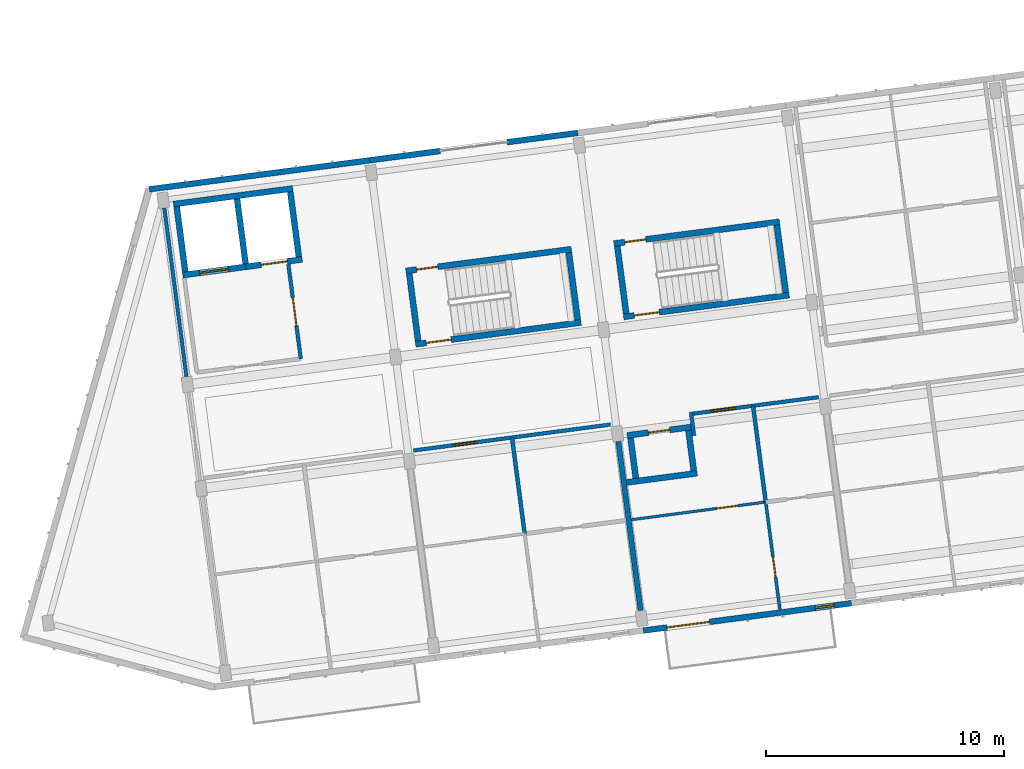
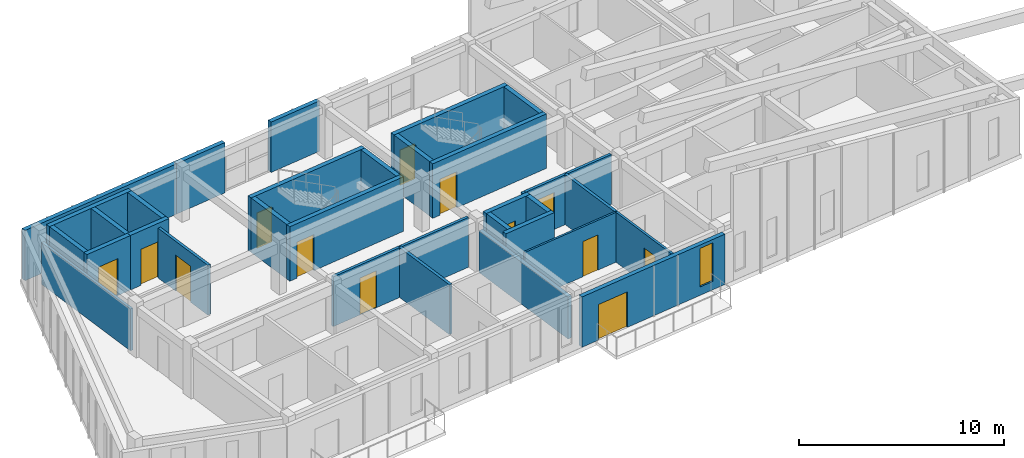
# One storey, part 7 of 16: 32 walls, 13 doors, 1 window, 14 openings.
"""IFC4 building model written with IfcOpenShell, lengths in metres."""

from ifc_helpers import new_model, si_unit, direction, frame, frame_2d, origin, place, context, subcontext, project, spatial, rectangle, extrude, material, layer, layer_set, type_object, element, fill, save


model = new_model("IFC4")

# Units and contexts
model_context = context("Model", 3, precision=1e-05, world=origin(), true_north=direction((0.0, 1.0)))
body_context = subcontext(model_context, "Body", "Model", "MODEL_VIEW")
ifc_project = project(units=[si_unit("LENGTHUNIT", "METRE"), si_unit("AREAUNIT", "SQUARE_METRE"), si_unit("VOLUMEUNIT", "CUBIC_METRE"), si_unit("PLANEANGLEUNIT", "RADIAN"), si_unit("MASSUNIT", "GRAM", prefix="KILO")], contexts=[model_context])

# Site, building, storey
site_placement = place(None, origin())
site = spatial("IfcSite", under=ifc_project, at=site_placement, CompositionType="ELEMENT")
building_placement = place(site_placement, origin())
building = spatial("IfcBuilding", under=site, at=building_placement, Name="Kestramere Prow Commons", CompositionType="ELEMENT")
storey_placement = place(building_placement, frame((0.0, 0.0, 40.89990234375)))
storey = spatial("IfcBuildingStorey", under=building, at=storey_placement, Name="L12", CompositionType="ELEMENT", Elevation=40.89990234375)

# Wall, openings, door, window
ifc_material_1 = material(Name="Fluoropolymer Standing-Seam Zinc-Aluminium Cladding", Category="aluminium")
ifc_layer_1 = layer(ifc_material_1, 0.239990234375)
ifc_layer_set_1 = layer_set([ifc_layer_1], Name="Fluoropolymer Standing-Seam Zinc-Aluminium Cladding")
wall_type_1 = type_object("IfcWallType", Name="EW-SEAM-240", PredefinedType="SOLIDWALL", material=ifc_layer_set_1)
wall_1_placement = place(storey_placement, frame((37.442626953125, 74.92529296875, 0.0), z_axis=(0.0, 0.0, 1.0), x_axis=(-0.991447495205, -0.130506184728, 0.0)))
wall_1 = element("IfcWall", 1, at=wall_1_placement, inside=storey, type_object=wall_type_1, Name="Block A L12 South Standing-Seam Wall 3", PredefinedType="SOLIDWALL", context=body_context, shape_type="SweptSolid", body=[
    extrude(rectangle(XDim=8.7998046875, YDim=0.239990234375, at=frame_2d((4.39990234375, 0.0))), origin(), (0.0, 0.0, 1.0), 3.0),
])
opening_1_placement = place(wall_1_placement, frame((5.9970703125, 0.0, 0.0)))
opening_1 = element("IfcOpeningElement", 2, at=opening_1_placement, cuts=wall_1, Name="Opening GD-BAL-02", PredefinedType="OPENING", context=body_context, shape_type="SweptSolid", body=[
    extrude(rectangle(XDim=1.800048828125, YDim=2.1201171875, at=frame_2d((0.89990234375, 1.06005859375))), frame((0.0, 0.135009765625, 0.0), z_axis=(0.0, -1.0, 0.0), x_axis=(1.0, 0.0, 0.0)), (0.0, 0.0, 1.0), 0.27001953125),
])
opening_2_placement = place(wall_1_placement, frame((0.72998046875, 0.0, 0.5)))
opening_2 = element("IfcOpeningElement", 3, at=opening_2_placement, cuts=wall_1, Name="Opening WN-12", PredefinedType="OPENING", context=body_context, shape_type="SweptSolid", body=[
    extrude(rectangle(XDim=0.800048828125, YDim=2.300048828125, at=frame_2d((0.39990234375, 1.14990234375))), frame((0.0, 0.135009765625, 0.0), z_axis=(0.0, -1.0, 0.0), x_axis=(1.0, 0.0, 0.0)), (0.0, 0.0, 1.0), 0.27001953125),
])
ifc_material_2 = material(Name="Thermally-Broken Anodised Aluminium Glazed", Category="aluminium")
door_type_1 = type_object("IfcDoorType", Name="GD-BAL-1800", OperationType="SLIDING_TO_LEFT", PredefinedType="DOOR", material=ifc_material_2)
door_1_placement = place(opening_1_placement, origin())
door_1 = element("IfcDoor", 4, at=door_1_placement, inside=storey, type_object=door_type_1, Name="Block A L12 Balcony Door 3", OperationType="SLIDING_TO_LEFT", OverallHeight=2.1201171875, OverallWidth=1.800048828125, PredefinedType="DOOR", context=body_context, shape_type="SweptSolid", body=[
    extrude(rectangle(XDim=1.800048828125, YDim=2.1201171875, at=frame_2d((0.89990234375, 1.06005859375))), frame((0.0, 0.02490234375, 0.0), z_axis=(0.0, -1.0, 0.0), x_axis=(1.0, 0.0, 0.0)), (0.0, 0.0, 1.0), 0.050048828125),
])
fill(opening_1, door_1)
ifc_material_3 = material(Name="Low-E Laminated Double Glazing", Category="glass")
window_type = type_object("IfcWindowType", Name="WN-NAR-800A", PartitioningType="SINGLE_PANEL", PredefinedType="WINDOW", material=ifc_material_3)
window_placement = place(opening_2_placement, origin())
window = element("IfcWindow", 5, at=window_placement, inside=storey, type_object=window_type, Name="WN-A-L12-SR-2", OverallHeight=2.300048828125, OverallWidth=0.800048828125, PartitioningType="SINGLE_PANEL", PredefinedType="WINDOW", context=body_context, shape_type="SweptSolid", body=[
    extrude(rectangle(XDim=0.800048828125, YDim=2.300048828125, at=frame_2d((0.39990234375, 1.14990234375))), frame((0.0, 0.030029296875, 0.0), z_axis=(0.0, -1.0, 0.0), x_axis=(1.0, 0.0, 0.0)), (0.0, 0.0, 1.0), 0.06005859375),
])
fill(opening_2, window)

# Walls
wall_2_placement = place(storey_placement, frame((8.00048828125, 92.28076171875, 0.0), z_axis=(0.0, 0.0, 1.0), x_axis=(0.991442885224, 0.130541201693, 0.0)))
element("IfcWall", 6, at=wall_2_placement, inside=storey, type_object=wall_type_1, Name="Block A L12 North Standing-Seam Wall 1", PredefinedType="SOLIDWALL", context=body_context, shape_type="SweptSolid", body=[
    extrude(rectangle(XDim=9.324951171875, YDim=0.239990234375, at=frame_2d((4.66259765625, 0.0))), origin(), (0.0, 0.0, 1.0), 3.0),
])
for number, where, z_axis, x_axis, name in (
    (7, (17.24560546875, 93.498046875, 0.0), (0.0, 0.0, 1.0), (0.991451502252, 0.130475739826, 0.0), "Block A L12 North Standing-Seam Pier 2L"),
    (8, (23.020751953125, 94.25830078125, 0.0), (0.0, 0.0, 1.0), (0.991440883744, 0.130556401758, 0.0), "Block A L12 North Standing-Seam Pier 2R"),
):
    element("IfcWall", number, at=place(storey_placement, frame(where, z_axis=z_axis, x_axis=x_axis)), inside=storey, type_object=wall_type_1, Name=name, PredefinedType="SOLIDWALL", context=body_context, shape_type="SweptSolid", body=[
        extrude(rectangle(XDim=2.97509765625, YDim=0.239990234375, at=frame_2d((1.487548828125, 0.0))), origin(), (0.0, 0.0, 1.0), 3.0),
    ])
ifc_material_4 = material(Name="Concrete C40/50", Category="concrete")
ifc_layer_2 = layer(ifc_material_4, 0.25)
ifc_layer_set_2 = layer_set([ifc_layer_2], Name="Concrete C40/50")
wall_type_2 = type_object("IfcWallType", Name="W-CORE-250", PredefinedType="SHEAR", material=ifc_layer_set_2)
wall_3_placement = place(storey_placement, frame((9.015380859375, 91.657958984375, 0.0), z_axis=(0.0, 0.0, 1.0), x_axis=(0.991444419808, 0.130529546201, 0.0)))
element("IfcWall", 9, at=wall_3_placement, inside=storey, type_object=wall_type_2, Name="Block A L12 Lift Core Back Wall", PredefinedType="SHEAR", context=body_context, shape_type="SweptSolid", body=[
    extrude(rectangle(XDim=5.050048828125, YDim=0.25, at=frame_2d((2.52490234375, 0.0))), origin(), (0.0, 0.0, 1.0), 3.25),
])

# Wall, opening, door
wall_4_placement = place(storey_placement, frame((9.406982421875, 88.68359375, 0.0), z_axis=(0.0, 0.0, 1.0), x_axis=(0.991434713833, 0.130603247307, 0.0)))
wall_4 = element("IfcWall", 10, at=wall_4_placement, inside=storey, type_object=wall_type_2, Name="Block A L12 Fire Lift Shaft Front Wall", PredefinedType="SHEAR", context=body_context, shape_type="SweptSolid", body=[
    extrude(rectangle(XDim=2.675048828125, YDim=0.25, at=frame_2d((1.33740234375, 0.0))), origin(), (0.0, 0.0, 1.0), 3.25),
])
opening_3_placement = place(wall_4_placement, frame((0.719970703125, 0.0, 0.0)))
opening_3 = element("IfcOpeningElement", 11, at=opening_3_placement, cuts=wall_4, Name="Opening LD-02", PredefinedType="OPENING", context=body_context, shape_type="SweptSolid", body=[
    extrude(rectangle(XDim=1.199951171875, YDim=2.199951171875, at=frame_2d((0.60009765625, 1.10009765625))), frame((0.0, 0.139892578125, 0.0), z_axis=(0.0, -1.0, 0.0), x_axis=(1.0, 0.0, 0.0)), (0.0, 0.0, 1.0), 0.280029296875),
])
ifc_material_5 = material(Name="Brushed Stainless Steel 316", Category="steel")
door_type_2 = type_object("IfcDoorType", Name="LD-02", OperationType="DOUBLE_DOOR_SLIDING", PredefinedType="DOOR", material=ifc_material_5)
door_2_placement = place(opening_3_placement, origin())
door_2 = element("IfcDoor", 12, at=door_2_placement, inside=storey, type_object=door_type_2, Name="FL-A1 L12 Lift Landing Door", OperationType="DOUBLE_DOOR_SLIDING", OverallHeight=2.199951171875, OverallWidth=1.199951171875, PredefinedType="DOOR", context=body_context, shape_type="SweptSolid", body=[
    extrude(rectangle(XDim=1.199951171875, YDim=2.199951171875, at=frame_2d((0.60009765625, 1.10009765625))), frame((0.0, 0.02490234375, 0.0), z_axis=(0.0, -1.0, 0.0), x_axis=(1.0, 0.0, 0.0)), (0.0, 0.0, 1.0), 0.050048828125),
])
fill(opening_3, door_2)

wall_5_placement = place(storey_placement, frame((12.05908203125, 89.032958984375, 0.0), z_axis=(0.0, 0.0, 1.0), x_axis=(0.99145534515, 0.130446535303, 0.0)))
wall_5 = element("IfcWall", 13, at=wall_5_placement, inside=storey, type_object=wall_type_2, Name="Block A L12 Passenger Lift Shaft Front Wall", PredefinedType="SHEAR", context=body_context, shape_type="SweptSolid", body=[
    extrude(rectangle(XDim=2.375, YDim=0.25, at=frame_2d((1.1875, 0.0))), origin(), (0.0, 0.0, 1.0), 3.25),
])
opening_4_placement = place(wall_5_placement, frame((0.64990234375, 0.0, 0.0)))
opening_4 = element("IfcOpeningElement", 14, at=opening_4_placement, cuts=wall_5, Name="Opening LD-01", PredefinedType="OPENING", context=body_context, shape_type="SweptSolid", body=[
    extrude(rectangle(XDim=1.10009765625, YDim=2.14990234375, at=frame_2d((0.550048828125, 1.074951171875))), frame((0.0, 0.139892578125, 0.0), z_axis=(0.0, -1.0, 0.0), x_axis=(1.0, 0.0, 0.0)), (0.0, 0.0, 1.0), 0.280029296875),
])
ifc_material_6 = material(Name="Brushed Stainless Steel 304", Category="steel")
door_type_3 = type_object("IfcDoorType", Name="LD-01", OperationType="DOUBLE_DOOR_SLIDING", PredefinedType="DOOR", material=ifc_material_6)
door_3_placement = place(opening_4_placement, origin())
door_3 = element("IfcDoor", 15, at=door_3_placement, inside=storey, type_object=door_type_3, Name="PL-A2 L12 Lift Landing Door", OperationType="DOUBLE_DOOR_SLIDING", OverallHeight=2.14990234375, OverallWidth=1.10009765625, PredefinedType="DOOR", context=body_context, shape_type="SweptSolid", body=[
    extrude(rectangle(XDim=1.10009765625, YDim=2.14990234375, at=frame_2d((0.550048828125, 1.074951171875))), frame((0.0, 0.02490234375, 0.0), z_axis=(0.0, -1.0, 0.0), x_axis=(1.0, 0.0, 0.0)), (0.0, 0.0, 1.0), 0.050048828125),
])
fill(opening_4, door_3)

# Walls
for number, where, z_axis, x_axis, name in (
    (16, (9.5146484375, 88.823974609375, 0.0), (0.0, 0.0, 1.0), (-0.130500441374, 0.991448251197, 0.0), "Block A L12 Lift Core Side Wall L"),
    (17, (12.042724609375, 89.15673828125, 0.0), (0.0, 0.0, 1.0), (-0.130500441374, 0.991448251197, 0.0), "Block A L12 Lift Core Side Wall M"),
    (18, (14.2734375, 89.450439453125, 0.0), (0.0, 0.0, 1.0), (-0.130500441374, 0.991448251197, 0.0), "Block A L12 Lift Core Side Wall R"),
):
    element("IfcWall", number, at=place(storey_placement, frame(where, z_axis=z_axis, x_axis=x_axis)), inside=storey, type_object=wall_type_2, Name=name, PredefinedType="SHEAR", context=body_context, shape_type="SweptSolid", body=[
        extrude(rectangle(XDim=2.75, YDim=0.25, at=frame_2d((1.375, 0.0))), origin(), (0.0, 0.0, 1.0), 3.25),
    ])

# Wall, opening, door
wall_6_placement = place(storey_placement, frame((18.764404296875, 88.856689453125, 0.0), z_axis=(0.0, 0.0, 1.0), x_axis=(0.991447052715, 0.13050954625, 0.0)))
wall_6 = element("IfcWall", 19, at=wall_6_placement, inside=storey, type_object=wall_type_2, Name="ST-A1 L12 North Shaft Wall", PredefinedType="SHEAR", context=body_context, shape_type="SweptSolid", body=[
    extrude(rectangle(XDim=7.0, YDim=0.25, at=frame_2d((3.5, 0.0))), origin(), (0.0, 0.0, 1.0), 3.25),
])
opening_5_placement = place(wall_6_placement, frame((0.449951171875, 0.0, 0.0)))
opening_5 = element("IfcOpeningElement", 20, at=opening_5_placement, cuts=wall_6, Name="Opening ID-08", PredefinedType="OPENING", context=body_context, shape_type="SweptSolid", body=[
    extrude(rectangle(XDim=0.89990234375, YDim=2.10009765625, at=frame_2d((0.449951171875, 1.050048828125))), frame((0.0, 0.139892578125, 0.0), z_axis=(0.0, -1.0, 0.0), x_axis=(1.0, 0.0, 0.0)), (0.0, 0.0, 1.0), 0.280029296875),
])
ifc_material_7 = material(Name="Engineered Timber Flush Door", Category="wood")
door_type_4 = type_object("IfcDoorType", Name="D-RM-01", OperationType="NOTDEFINED", PredefinedType="DOOR", material=ifc_material_7)
door_4_placement = place(opening_5_placement, origin())
door_4 = element("IfcDoor", 21, at=door_4_placement, inside=storey, type_object=door_type_4, Name="ST-A1 L12 North Room Door", OperationType="SINGLE_SWING_RIGHT", OverallHeight=2.10009765625, OverallWidth=0.89990234375, PredefinedType="DOOR", context=body_context, shape_type="SweptSolid", body=[
    extrude(rectangle(XDim=0.89990234375, YDim=2.10009765625, at=frame_2d((0.449951171875, 1.050048828125))), frame((0.0, 0.02490234375, 0.0), z_axis=(0.0, -1.0, 0.0), x_axis=(1.0, 0.0, 0.0)), (0.0, 0.0, 1.0), 0.050048828125),
])
fill(opening_5, door_4)

wall_7_placement = place(storey_placement, frame((19.169189453125, 85.783203125, 0.0), z_axis=(0.0, 0.0, 1.0), x_axis=(0.991446458634, 0.130514059249, 0.0)))
wall_7 = element("IfcWall", 22, at=wall_7_placement, inside=storey, type_object=wall_type_2, Name="ST-A1 L12 Corridor Shaft Wall", PredefinedType="SHEAR", context=body_context, shape_type="SweptSolid", body=[
    extrude(rectangle(XDim=6.999755859375, YDim=0.25, at=frame_2d((3.5, 0.0))), origin(), (0.0, 0.0, 1.0), 3.25),
])
opening_6_placement = place(wall_7_placement, frame((0.449951171875, 0.0, 0.0)))
opening_6 = element("IfcOpeningElement", 23, at=opening_6_placement, cuts=wall_7, Name="Opening ID-01", PredefinedType="OPENING", context=body_context, shape_type="SweptSolid", body=[
    extrude(rectangle(XDim=1.050048828125, YDim=2.14990234375, at=frame_2d((0.52490234375, 1.074951171875))), frame((0.0, 0.139892578125, 0.0), z_axis=(0.0, -1.0, 0.0), x_axis=(1.0, 0.0, 0.0)), (0.0, 0.0, 1.0), 0.280029296875),
])
ifc_material_8 = material(Name="Fire-Rated Timber and Steel Frame", Category="steel")
door_type_5 = type_object("IfcDoorType", Name="FD-ST-01", OperationType="NOTDEFINED", PredefinedType="DOOR", material=ifc_material_8)
door_5_placement = place(opening_6_placement, origin())
door_5 = element("IfcDoor", 24, at=door_5_placement, inside=storey, type_object=door_type_5, Name="ST-A1 L12 Protected Stair Door", OperationType="SINGLE_SWING_LEFT", OverallHeight=2.14990234375, OverallWidth=1.050048828125, PredefinedType="DOOR", context=body_context, shape_type="SweptSolid", body=[
    extrude(rectangle(XDim=1.050048828125, YDim=2.14990234375, at=frame_2d((0.52490234375, 1.074951171875))), frame((0.0, 0.02490234375, 0.0), z_axis=(0.0, -1.0, 0.0), x_axis=(1.0, 0.0, 0.0)), (0.0, 0.0, 1.0), 0.050048828125),
])
fill(opening_6, door_5)

# Walls
for number, where, z_axis, x_axis, name in (
    (25, (19.27685546875, 85.92333984375, 0.0), (0.0, 0.0, 1.0), (-0.130547578832, 0.991442045538, 0.0), "ST-A1 L12 Near Shaft Wall"),
    (26, (25.968994140625, 86.804443359375, 0.0), (0.0, 0.0, 1.0), (-0.130547578832, 0.991442045538, 0.0), "ST-A1 L12 Far Shaft Wall"),
):
    element("IfcWall", number, at=place(storey_placement, frame(where, z_axis=z_axis, x_axis=x_axis)), inside=storey, type_object=wall_type_2, Name=name, PredefinedType="SHEAR", context=body_context, shape_type="SweptSolid", body=[
        extrude(rectangle(XDim=2.85009765625, YDim=0.25, at=frame_2d((1.425048828125, 0.0))), origin(), (0.0, 0.0, 1.0), 3.25),
    ])

# Wall, opening, door
wall_8_placement = place(storey_placement, frame((27.4892578125, 90.005126953125, 0.0), z_axis=(0.0, 0.0, 1.0), x_axis=(0.991441944909, 0.130548343059, 0.0)))
wall_8 = element("IfcWall", 27, at=wall_8_placement, inside=storey, type_object=wall_type_2, Name="ST-A2 L12 North Shaft Wall", PredefinedType="SHEAR", context=body_context, shape_type="SweptSolid", body=[
    extrude(rectangle(XDim=6.999755859375, YDim=0.25, at=frame_2d((3.5, 0.0))), origin(), (0.0, 0.0, 1.0), 3.25),
])
opening_7_placement = place(wall_8_placement, frame((0.449951171875, 0.0, 0.0)))
opening_7 = element("IfcOpeningElement", 28, at=opening_7_placement, cuts=wall_8, Name="Opening ID-08", PredefinedType="OPENING", context=body_context, shape_type="SweptSolid", body=[
    extrude(rectangle(XDim=0.89990234375, YDim=2.10009765625, at=frame_2d((0.449951171875, 1.050048828125))), frame((0.0, 0.139892578125, 0.0), z_axis=(0.0, -1.0, 0.0), x_axis=(1.0, 0.0, 0.0)), (0.0, 0.0, 1.0), 0.280029296875),
])
door_6_placement = place(opening_7_placement, origin())
door_6 = element("IfcDoor", 29, at=door_6_placement, inside=storey, type_object=door_type_4, Name="ST-A2 L12 North Room Door", OperationType="SINGLE_SWING_RIGHT", OverallHeight=2.10009765625, OverallWidth=0.89990234375, PredefinedType="DOOR", context=body_context, shape_type="SweptSolid", body=[
    extrude(rectangle(XDim=0.89990234375, YDim=2.10009765625, at=frame_2d((0.449951171875, 1.050048828125))), frame((0.0, 0.02490234375, 0.0), z_axis=(0.0, -1.0, 0.0), x_axis=(1.0, 0.0, 0.0)), (0.0, 0.0, 1.0), 0.050048828125),
])
fill(opening_7, door_6)

wall_9_placement = place(storey_placement, frame((27.893798828125, 86.931640625, 0.0), z_axis=(0.0, 0.0, 1.0), x_axis=(0.991442539299, 0.130543828916, 0.0)))
wall_9 = element("IfcWall", 30, at=wall_9_placement, inside=storey, type_object=wall_type_2, Name="ST-A2 L12 Corridor Shaft Wall", PredefinedType="SHEAR", context=body_context, shape_type="SweptSolid", body=[
    extrude(rectangle(XDim=7.0, YDim=0.25, at=frame_2d((3.5, 0.0))), origin(), (0.0, 0.0, 1.0), 3.25),
])
opening_8_placement = place(wall_9_placement, frame((0.449951171875, 0.0, 0.0)))
opening_8 = element("IfcOpeningElement", 31, at=opening_8_placement, cuts=wall_9, Name="Opening ID-01", PredefinedType="OPENING", context=body_context, shape_type="SweptSolid", body=[
    extrude(rectangle(XDim=1.050048828125, YDim=2.14990234375, at=frame_2d((0.52490234375, 1.074951171875))), frame((0.0, 0.139892578125, 0.0), z_axis=(0.0, -1.0, 0.0), x_axis=(1.0, 0.0, 0.0)), (0.0, 0.0, 1.0), 0.280029296875),
])
door_7_placement = place(opening_8_placement, origin())
door_7 = element("IfcDoor", 32, at=door_7_placement, inside=storey, type_object=door_type_5, Name="ST-A2 L12 Protected Stair Door", OperationType="SINGLE_SWING_LEFT", OverallHeight=2.14990234375, OverallWidth=1.050048828125, PredefinedType="DOOR", context=body_context, shape_type="SweptSolid", body=[
    extrude(rectangle(XDim=1.050048828125, YDim=2.14990234375, at=frame_2d((0.52490234375, 1.074951171875))), frame((0.0, 0.02490234375, 0.0), z_axis=(0.0, -1.0, 0.0), x_axis=(1.0, 0.0, 0.0)), (0.0, 0.0, 1.0), 0.050048828125),
])
fill(opening_8, door_7)

# Walls
wall_10_placement = place(storey_placement, frame((28.00146484375, 87.072021484375, 0.0), z_axis=(0.0, 0.0, 1.0), x_axis=(-0.130547578832, 0.991442045538, 0.0)))
element("IfcWall", 33, at=wall_10_placement, inside=storey, type_object=wall_type_2, Name="ST-A2 L12 Near Shaft Wall", PredefinedType="SHEAR", context=body_context, shape_type="SweptSolid", body=[
    extrude(rectangle(XDim=2.85009765625, YDim=0.25, at=frame_2d((1.425048828125, 0.0))), origin(), (0.0, 0.0, 1.0), 3.25),
])
wall_11_placement = place(storey_placement, frame((34.693603515625, 87.953125, 0.0), z_axis=(0.0, 0.0, 1.0), x_axis=(-0.130474457355, 0.991451671025, 0.0)))
element("IfcWall", 34, at=wall_11_placement, inside=storey, type_object=wall_type_2, Name="ST-A2 L12 Far Shaft Wall", PredefinedType="SHEAR", context=body_context, shape_type="SweptSolid", body=[
    extrude(rectangle(XDim=2.849853515625, YDim=0.25, at=frame_2d((1.4248046875, 0.0))), origin(), (0.0, 0.0, 1.0), 3.25),
])

# Wall, opening, door
ifc_material_9 = material(Name="Fire-Rated Calcium Silicate Wall")
ifc_layer_3 = layer(ifc_material_9, 0.155029296875)
ifc_layer_set_3 = layer_set([ifc_layer_3], Name="Fire-Rated Calcium Silicate Wall")
wall_type_3 = type_object("IfcWallType", Name="W-FIRE-150", PredefinedType="PARTITIONING", material=ifc_layer_set_3)
wall_12_placement = place(storey_placement, frame((14.357421875, 85.1748046875, 0.0), z_axis=(0.0, 0.0, 1.0), x_axis=(-0.130552399509, 0.991441410766, 0.0)))
wall_12 = element("IfcWall", 35, at=wall_12_placement, inside=storey, type_object=wall_type_3, Name="Interior Partition PW-A-L12-FFL-E", PredefinedType="PARTITIONING", context=body_context, shape_type="SweptSolid", body=[
    extrude(rectangle(XDim=4.0, YDim=0.155029296875, at=frame_2d((2.0, 0.0))), origin(), (0.0, 0.0, 1.0), 2.97021484375),
])
opening_9_placement = place(wall_12_placement, frame((1.39990234375, 0.0, 0.0)))
opening_9 = element("IfcOpeningElement", 36, at=opening_9_placement, cuts=wall_12, Name="Opening ID-03", PredefinedType="OPENING", context=body_context, shape_type="SweptSolid", body=[
    extrude(rectangle(XDim=1.179931640625, YDim=2.14990234375, at=frame_2d((0.58984375, 1.074951171875))), frame((0.0, 0.092529296875, 0.0), z_axis=(0.0, -1.0, 0.0), x_axis=(1.0, 0.0, 0.0)), (0.0, 0.0, 1.0), 0.18505859375),
])
ifc_material_10 = material(Name="Fire-Rated Glazed Smoke-Stop Door")
door_type_6 = type_object("IfcDoorType", Name="FD-LB-01", OperationType="NOTDEFINED", PredefinedType="DOOR", material=ifc_material_10)
door_8_placement = place(opening_9_placement, origin())
door_8 = element("IfcDoor", 37, at=door_8_placement, inside=storey, type_object=door_type_6, Name="Interior Door DR-A-L12-FFL-PL", OperationType="SINGLE_SWING_LEFT", OverallHeight=2.14990234375, OverallWidth=1.179931640625, PredefinedType="DOOR", context=body_context, shape_type="SweptSolid", body=[
    extrude(rectangle(XDim=1.179931640625, YDim=2.14990234375, at=frame_2d((0.58984375, 1.074951171875))), frame((0.0, 0.02490234375, 0.0), z_axis=(0.0, -1.0, 0.0), x_axis=(1.0, 0.0, 0.0)), (0.0, 0.0, 1.0), 0.050048828125),
])
fill(opening_9, door_8)

wall_13_placement = place(storey_placement, frame((19.084716796875, 81.3291015625, 0.0), z_axis=(0.0, 0.0, 1.0), x_axis=(0.991446911972, 0.130510615437, 0.0)))
wall_13 = element("IfcWall", 38, at=wall_13_placement, inside=storey, type_object=wall_type_3, Name="Interior Partition PW-A-L12-CS-1", PredefinedType="PARTITIONING", context=body_context, shape_type="SweptSolid", body=[
    extrude(rectangle(XDim=8.330078125, YDim=0.155029296875, at=frame_2d((4.1650390625, 0.0))), origin(), (0.0, 0.0, 1.0), 2.97021484375),
])
opening_10_placement = place(wall_13_placement, frame((1.655029296875, 0.0, 0.0)))
opening_10 = element("IfcOpeningElement", 39, at=opening_10_placement, cuts=wall_13, Name="Opening ID-05", PredefinedType="OPENING", context=body_context, shape_type="SweptSolid", body=[
    extrude(rectangle(XDim=1.02001953125, YDim=2.199951171875, at=frame_2d((0.510009765625, 1.10009765625))), frame((0.0, 0.092529296875, 0.0), z_axis=(0.0, -1.0, 0.0), x_axis=(1.0, 0.0, 0.0)), (0.0, 0.0, 1.0), 0.18505859375),
])
ifc_material_11 = material(Name="Hardwood Fire-Rated Flat Entrance Door", Category="wood")
door_type_7 = type_object("IfcDoorType", Name="FD-ENT-02", OperationType="NOTDEFINED", PredefinedType="DOOR", material=ifc_material_11)
door_9_placement = place(opening_10_placement, origin())
door_9 = element("IfcDoor", 40, at=door_9_placement, inside=storey, type_object=door_type_7, Name="Interior Door DR-A-L12-ENT-S1", OperationType="SINGLE_SWING_RIGHT", OverallHeight=2.199951171875, OverallWidth=1.02001953125, PredefinedType="DOOR", context=body_context, shape_type="SweptSolid", body=[
    extrude(rectangle(XDim=1.02001953125, YDim=2.199951171875, at=frame_2d((0.510009765625, 1.10009765625))), frame((0.0, 0.02490234375, 0.0), z_axis=(0.0, -1.0, 0.0), x_axis=(1.0, 0.0, 0.0)), (0.0, 0.0, 1.0), 0.050048828125),
])
fill(opening_10, door_9)

# Wall
wall_14_placement = place(storey_placement, frame((30.849365234375, 81.949951171875, 0.0), z_axis=(0.0, 0.0, 1.0), x_axis=(-0.13055608231, 0.99144092581, 0.0)))
element("IfcWall", 41, at=wall_14_placement, inside=storey, type_object=wall_type_3, Name="Interior Partition PW-A-L12-HS-CLOSER", PredefinedType="PARTITIONING", context=body_context, shape_type="SweptSolid", body=[
    extrude(rectangle(XDim=0.994873046875, YDim=0.155029296875, at=frame_2d((0.49755859375, 0.0))), origin(), (0.0, 0.0, 1.0), 2.97021484375),
])

# Wall, opening, door
wall_15_placement = place(storey_placement, frame((30.80859375, 82.87255859375, 0.0), z_axis=(0.0, 0.0, 1.0), x_axis=(0.991445991454, 0.130517608122, 0.0)))
wall_15 = element("IfcWall", 42, at=wall_15_placement, inside=storey, type_object=wall_type_3, Name="Interior Partition PW-A-L12-CS-2", PredefinedType="PARTITIONING", context=body_context, shape_type="SweptSolid", body=[
    extrude(rectangle(XDim=5.304931640625, YDim=0.155029296875, at=frame_2d((2.65234375, 0.0))), origin(), (0.0, 0.0, 1.0), 2.97021484375),
])
opening_11_placement = place(wall_15_placement, frame((0.758056640625, 0.0, 0.0)))
opening_11 = element("IfcOpeningElement", 43, at=opening_11_placement, cuts=wall_15, Name="Opening ID-05", PredefinedType="OPENING", context=body_context, shape_type="SweptSolid", body=[
    extrude(rectangle(XDim=1.02001953125, YDim=2.199951171875, at=frame_2d((0.510009765625, 1.10009765625))), frame((0.0, 0.092529296875, 0.0), z_axis=(0.0, -1.0, 0.0), x_axis=(1.0, 0.0, 0.0)), (0.0, 0.0, 1.0), 0.18505859375),
])
door_10_placement = place(opening_11_placement, origin())
door_10 = element("IfcDoor", 44, at=door_10_placement, inside=storey, type_object=door_type_7, Name="Interior Door DR-A-L12-ENT-S2", OperationType="SINGLE_SWING_LEFT", OverallHeight=2.199951171875, OverallWidth=1.02001953125, PredefinedType="DOOR", context=body_context, shape_type="SweptSolid", body=[
    extrude(rectangle(XDim=1.02001953125, YDim=2.199951171875, at=frame_2d((0.510009765625, 1.10009765625))), frame((0.0, 0.02490234375, 0.0), z_axis=(0.0, -1.0, 0.0), x_axis=(1.0, 0.0, 0.0)), (0.0, 0.0, 1.0), 0.050048828125),
])
fill(opening_11, door_10)

# Wall
ifc_layer_4 = layer(ifc_material_4, 0.25)
ifc_layer_set_4 = layer_set([ifc_layer_4], Name="Concrete C40/50")
wall_type_4 = type_object("IfcWallType", Name="W-HS-250", PredefinedType="SHEAR", material=ifc_layer_set_4)
wall_16_placement = place(storey_placement, frame((28.01123046875, 79.987548828125, 0.0), z_axis=(0.0, 0.0, 1.0), x_axis=(0.991439837467, 0.130564346904, 0.0)))
element("IfcWall", 45, at=wall_16_placement, inside=storey, type_object=wall_type_4, Name="Block A L12 Household Shelter South Wall", PredefinedType="SHEAR", context=body_context, shape_type="SweptSolid", body=[
    extrude(rectangle(XDim=2.989990234375, YDim=0.25, at=frame_2d((1.4951171875, 0.0))), origin(), (0.0, 0.0, 1.0), 3.25),
])

# Wall, opening, door
wall_17_placement = place(storey_placement, frame((28.044189453125, 81.958740234375, 0.0), z_axis=(0.0, 0.0, 1.0), x_axis=(0.991439824936, 0.130564442062, 0.0)))
wall_17 = element("IfcWall", 46, at=wall_17_placement, inside=storey, type_object=wall_type_4, Name="Block A L12 Household Shelter North Wall", PredefinedType="SHEAR", context=body_context, shape_type="SweptSolid", body=[
    extrude(rectangle(XDim=2.7001953125, YDim=0.25, at=frame_2d((1.35009765625, 0.0))), origin(), (0.0, 0.0, 1.0), 3.25),
])
opening_12_placement = place(wall_17_placement, frame((0.89990234375, 0.0, 0.0)))
opening_12 = element("IfcOpeningElement", 47, at=opening_12_placement, cuts=wall_17, Name="Opening ID-06", PredefinedType="OPENING", context=body_context, shape_type="SweptSolid", body=[
    extrude(rectangle(XDim=0.89990234375, YDim=2.050048828125, at=frame_2d((0.449951171875, 1.02490234375))), frame((0.0, 0.139892578125, 0.0), z_axis=(0.0, -1.0, 0.0), x_axis=(1.0, 0.0, 0.0)), (0.0, 0.0, 1.0), 0.280029296875),
])
ifc_material_12 = material(Name="Galvanised Steel S275JR Household Shelter Door", Category="steel")
door_type_8 = type_object("IfcDoorType", Name="FD-HS-01", OperationType="NOTDEFINED", PredefinedType="DOOR", material=ifc_material_12)
door_11_placement = place(opening_12_placement, origin())
door_11 = element("IfcDoor", 48, at=door_11_placement, inside=storey, type_object=door_type_8, Name="Block A L12 Household Shelter Blast Door", OperationType="SINGLE_SWING_RIGHT", OverallHeight=2.050048828125, OverallWidth=0.89990234375, PredefinedType="DOOR", context=body_context, shape_type="SweptSolid", body=[
    extrude(rectangle(XDim=0.89990234375, YDim=2.050048828125, at=frame_2d((0.449951171875, 1.02490234375))), frame((0.0, 0.02490234375, 0.0), z_axis=(0.0, -1.0, 0.0), x_axis=(1.0, 0.0, 0.0)), (0.0, 0.0, 1.0), 0.050048828125),
])
fill(opening_12, door_11)

# Walls
wall_18_placement = place(storey_placement, frame((28.40625, 80.165771484375, 0.0), z_axis=(0.0, 0.0, 1.0), x_axis=(-0.130413643681, 0.991459672171, 0.0)))
element("IfcWall", 49, at=wall_18_placement, inside=storey, type_object=wall_type_4, Name="Block A L12 Household Shelter W Wall", PredefinedType="SHEAR", context=body_context, shape_type="SweptSolid", body=[
    extrude(rectangle(XDim=1.69970703125, YDim=0.25, at=frame_2d((0.849853515625, 0.0))), origin(), (0.0, 0.0, 1.0), 3.25),
])
wall_19_placement = place(storey_placement, frame((30.83544921875, 80.485595703125, 0.0), z_axis=(0.0, 0.0, 1.0), x_axis=(-0.1305548243, 0.991441091468, 0.0)))
element("IfcWall", 50, at=wall_19_placement, inside=storey, type_object=wall_type_4, Name="Block A L12 Household Shelter E Wall", PredefinedType="SHEAR", context=body_context, shape_type="SweptSolid", body=[
    extrude(rectangle(XDim=1.699951171875, YDim=0.25, at=frame_2d((0.85009765625, 0.0))), origin(), (0.0, 0.0, 1.0), 3.25),
])

# Wall, opening, door
ifc_material_13 = material(Name="Gypsum Acoustic Drywall")
ifc_layer_5 = layer(ifc_material_13, 0.110107421875)
ifc_layer_set_5 = layer_set([ifc_layer_5], Name="Gypsum Acoustic Drywall")
wall_type_5 = type_object("IfcWallType", Name="W-PART-110", PredefinedType="PARTITIONING", material=ifc_layer_set_5)
wall_20_placement = place(storey_placement, frame((28.2216796875, 78.4267578125, 0.0), z_axis=(0.0, 0.0, 1.0), x_axis=(0.991443905556, 0.130533452169, 0.0)))
wall_20 = element("IfcWall", 51, at=wall_20_placement, inside=storey, type_object=wall_type_5, Name="Interior Partition PW-A-L12-MIDS1-2", PredefinedType="PARTITIONING", context=body_context, shape_type="SweptSolid", body=[
    extrude(rectangle(XDim=5.68017578125, YDim=0.110107421875, at=frame_2d((2.840087890625, 0.0))), origin(), (0.0, 0.0, 1.0), 2.97021484375),
])
opening_13_placement = place(wall_20_placement, frame((3.594970703125, 0.0, 0.0)))
opening_13 = element("IfcOpeningElement", 52, at=opening_13_placement, cuts=wall_20, Name="Opening ID-08", PredefinedType="OPENING", context=body_context, shape_type="SweptSolid", body=[
    extrude(rectangle(XDim=0.89990234375, YDim=2.10009765625, at=frame_2d((0.449951171875, 1.050048828125))), frame((0.0, 0.070068359375, 0.0), z_axis=(0.0, -1.0, 0.0), x_axis=(1.0, 0.0, 0.0)), (0.0, 0.0, 1.0), 0.14013671875),
])
door_12_placement = place(opening_13_placement, origin())
door_12 = element("IfcDoor", 53, at=door_12_placement, inside=storey, type_object=door_type_4, Name="Interior Door DR-A-L12-KL-S2", OperationType="SINGLE_SWING_RIGHT", OverallHeight=2.10009765625, OverallWidth=0.89990234375, PredefinedType="DOOR", context=body_context, shape_type="SweptSolid", body=[
    extrude(rectangle(XDim=0.89990234375, YDim=2.10009765625, at=frame_2d((0.449951171875, 1.050048828125))), frame((0.0, 0.02490234375, 0.0), z_axis=(0.0, -1.0, 0.0), x_axis=(1.0, 0.0, 0.0)), (0.0, 0.0, 1.0), 0.050048828125),
])
fill(opening_13, door_12)

ifc_material_14 = material(Name="Lightweight Blockwork and Plaster", Category="masonry")
ifc_layer_6 = layer(ifc_material_14, 0.1298828125)
ifc_layer_set_6 = layer_set([ifc_layer_6], Name="Lightweight Blockwork and Plaster")
wall_type_6 = type_object("IfcWallType", Name="W-PART-130", PredefinedType="PARTITIONING", material=ifc_layer_set_6)
wall_21_placement = place(storey_placement, frame((34.44580078125, 74.6669921875, 0.0), z_axis=(0.0, 0.0, 1.0), x_axis=(-0.130511545171, 0.991446789584, 0.0)))
wall_21 = element("IfcWall", 54, at=wall_21_placement, inside=storey, type_object=wall_type_6, Name="Interior Partition PW-A-L12-LB-S2", PredefinedType="PARTITIONING", context=body_context, shape_type="SweptSolid", body=[
    extrude(rectangle(XDim=4.5400390625, YDim=0.1298828125, at=frame_2d((2.27001953125, 0.0))), origin(), (0.0, 0.0, 1.0), 2.97021484375),
])
opening_14_placement = place(wall_21_placement, frame((1.35009765625, 0.0, 0.0)))
opening_14 = element("IfcOpeningElement", 55, at=opening_14_placement, cuts=wall_21, Name="Opening ID-10", PredefinedType="OPENING", context=body_context, shape_type="SweptSolid", body=[
    extrude(rectangle(XDim=0.8798828125, YDim=2.10009765625, at=frame_2d((0.43994140625, 1.050048828125))), frame((0.0, 0.079833984375, 0.0), z_axis=(0.0, -1.0, 0.0), x_axis=(1.0, 0.0, 0.0)), (0.0, 0.0, 1.0), 0.159912109375),
])
ifc_material_15 = material(Name="Engineered Timber Bedroom Door", Category="wood")
door_type_9 = type_object("IfcDoorType", Name="D-RM-03", OperationType="NOTDEFINED", PredefinedType="DOOR", material=ifc_material_15)
door_13_placement = place(opening_14_placement, origin())
door_13 = element("IfcDoor", 56, at=door_13_placement, inside=storey, type_object=door_type_9, Name="Interior Door DR-A-L12-BED-S2", OperationType="SINGLE_SWING_LEFT", OverallHeight=2.10009765625, OverallWidth=0.8798828125, PredefinedType="DOOR", context=body_context, shape_type="SweptSolid", body=[
    extrude(rectangle(XDim=0.8798828125, YDim=2.10009765625, at=frame_2d((0.43994140625, 1.050048828125))), frame((0.0, 0.02490234375, 0.0), z_axis=(0.0, -1.0, 0.0), x_axis=(1.0, 0.0, 0.0)), (0.0, 0.0, 1.0), 0.050048828125),
])
fill(opening_14, door_13)

# Walls
ifc_material_16 = material(Name="Masonry Compartment Wall", Category="masonry")
ifc_layer_7 = layer(ifc_material_16, 0.14990234375)
ifc_layer_set_7 = layer_set([ifc_layer_7], Name="Masonry Compartment Wall")
wall_type_7 = type_object("IfcWallType", Name="W-PART-150", PredefinedType="PARTITIONING", material=ifc_layer_set_7)
wall_22_placement = place(storey_placement, frame((9.56396484375, 84.427734375, 0.0), z_axis=(0.0, 0.0, 1.0), x_axis=(-0.130526257258, 0.991444852811, 0.0)))
element("IfcWall", 57, at=wall_22_placement, inside=storey, type_object=wall_type_7, Name="Interior Partition PW-A-L12-PRW-N", PredefinedType="PARTITIONING", context=body_context, shape_type="SweptSolid", body=[
    extrude(rectangle(XDim=7.130126953125, YDim=0.14990234375, at=frame_2d((3.56494140625, 0.0))), origin(), (0.0, 0.0, 1.0), 2.5),
])
ifc_material_17 = material(Name="Waterproof Sanitary Masonry Wall", Category="masonry")
ifc_layer_8 = layer(ifc_material_17, 0.1650390625)
ifc_layer_set_8 = layer_set([ifc_layer_8], Name="Waterproof Sanitary Masonry Wall")
wall_type_8 = type_object("IfcWallType", Name="W-PLUMB-150", PredefinedType="PLUMBINGWALL", material=ifc_layer_set_8)
for number, where, z_axis, x_axis, name in (
    (58, (23.745361328125, 77.83740234375, 0.0), (0.0, 0.0, 1.0), (-0.13052899417, 0.991444492486, 0.0), "Interior Partition PW-A-L12-KB-S1"),
    (59, (33.853271484375, 79.168212890625, 0.0), (0.0, 0.0, 1.0), (-0.13052899417, 0.991444492486, 0.0), "Interior Partition PW-A-L12-KB-S2"),
):
    element("IfcWall", number, at=place(storey_placement, frame(where, z_axis=z_axis, x_axis=x_axis)), inside=storey, type_object=wall_type_8, Name=name, PredefinedType="PLUMBINGWALL", context=body_context, shape_type="SweptSolid", body=[
        extrude(rectangle(XDim=4.070068359375, YDim=0.1650390625, at=frame_2d((2.03515625, 0.0))), origin(), (0.0, 0.0, 1.0), 2.97021484375),
    ])
ifc_material_18 = material(Name="Precast concrete C40/50", Category="concrete")
ifc_layer_9 = layer(ifc_material_18, 0.219970703125)
ifc_layer_set_9 = layer_set([ifc_layer_9], Name="Precast concrete C40/50")
wall_type_9 = type_object("IfcWallType", Name="W-XWALL-220", PredefinedType="SHEAR", material=ifc_layer_set_9)
wall_23_placement = place(storey_placement, frame((28.60693359375, 74.619384765625, 0.0), z_axis=(0.0, 0.0, 1.0), x_axis=(-0.130503975686, 0.991447785983, 0.0)))
element("IfcWall", 60, at=wall_23_placement, inside=storey, type_object=wall_type_9, Name="Block A L12 Precast Cross-Wall 2", PredefinedType="SHEAR", context=body_context, shape_type="SweptSolid", body=[
    extrude(rectangle(XDim=7.14990234375, YDim=0.219970703125, at=frame_2d((3.574951171875, 0.0))), origin(), (0.0, 0.0, 1.0), 2.5),
])

save(model, "model.ifc")
